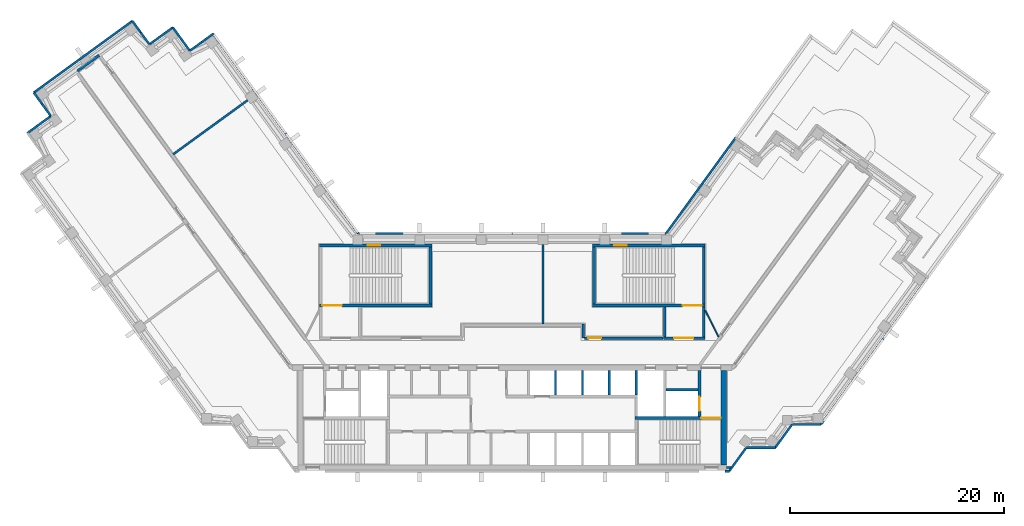
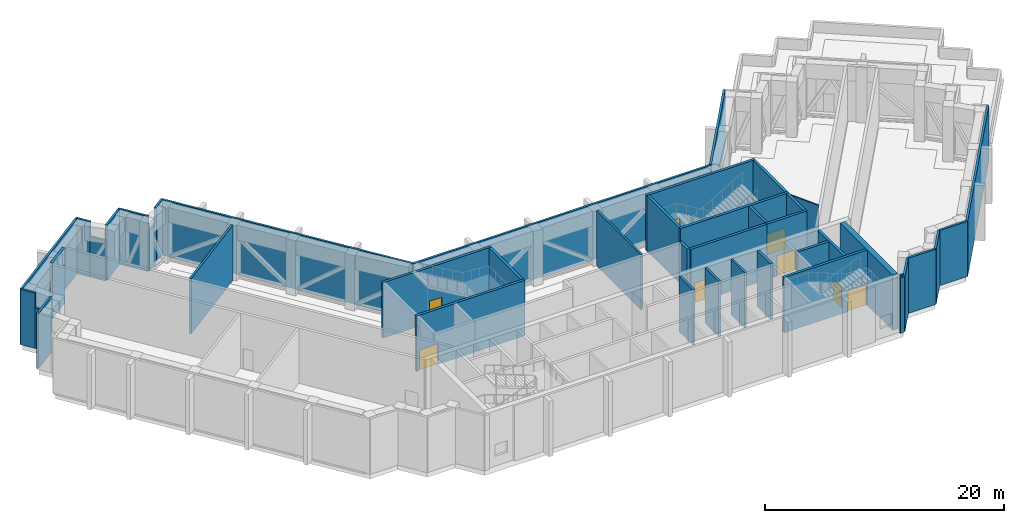
# One storey, part 11 of 16: 44 walls, 6 doors, 2 windows, 8 openings.
"""IFC4 building model written with IfcOpenShell, lengths in metres."""

import ifcopenshell
import ifcopenshell.guid

model = None  # the IFC model being written
_history = None  # IfcOwnerHistory: only IFC2X3 demands one
_inside = {}  # id of a spatial element -> (the spatial element, [elements in it])
_under = {}  # id of a project, library or spatial element -> (it, [spatial elements below it])
_declared = {}  # id of a project -> (the project, [libraries it declares])
_typed = {}  # id of a type object -> (the type object, [elements of that type])
_made_of = {}  # id of a material, layer set ... -> (it, [elements and type objects made of it])


def new_model(schema):
    """Start an empty IFC model of exactly this schema.

    Asked for "IFC4X3", IfcOpenShell would pick the latest addendum, in which some entities
    have other attributes; the version numbers below select the first issue.
    IFC2X3 requires an IfcOwnerHistory on every rooted entity: one is made here for all.
    """
    global model, _history
    if schema == "IFC4X3":
        model = ifcopenshell.file(schema_version=(4, 3, 0, 0))
    else:
        model = ifcopenshell.file(schema=schema)
    _inside.clear()
    _under.clear()
    _declared.clear()
    _typed.clear()
    _made_of.clear()
    _history = None
    if model.schema == "IFC2X3":
        org = make("IfcOrganization", Name="unknown")
        user = make(
            "IfcPersonAndOrganization",
            ThePerson=make("IfcPerson", FamilyName="unknown"),
            TheOrganization=org,
        )
        app = make(
            "IfcApplication",
            ApplicationDeveloper=org,
            Version="unknown",
            ApplicationFullName="unknown",
            ApplicationIdentifier="unknown",
        )
        _history = make(
            "IfcOwnerHistory",
            OwningUser=user,
            OwningApplication=app,
            ChangeAction="ADDED",
            CreationDate=0,
        )
    return model


def make(cls, **values):
    """One entity of the class cls with the attributes given. An attribute that is None is left unset."""
    return model.create_entity(
        cls, **{name: value for name, value in values.items() if value is not None}
    )


def rooted(cls, **values):
    """An entity with a GlobalId (a new one), such as an element, a storey or a relation."""
    return make(cls, GlobalId=ifcopenshell.guid.new(), OwnerHistory=_history, **values)


def si_unit(unit_type, name, prefix=None):
    """IfcSIUnit, for example si_unit("LENGTHUNIT", "METRE", prefix="MILLI")."""
    return make("IfcSIUnit", UnitType=unit_type, Prefix=prefix, Name=name)


def assignment(units):
    """IfcUnitAssignment: the units of a project."""
    return None if units is None else make("IfcUnitAssignment", Units=units)


def point(xyz):
    """IfcCartesianPoint."""
    return None if xyz is None else make("IfcCartesianPoint", Coordinates=xyz)


def direction(xyz):
    """IfcDirection."""
    return None if xyz is None else make("IfcDirection", DirectionRatios=xyz)


def frame(location, z_axis=None, x_axis=None):
    """IfcAxis2Placement3D, a coordinate frame: its origin and axes. An axis left out is left unset."""
    return make(
        "IfcAxis2Placement3D",
        Location=point(location),
        Axis=direction(z_axis),
        RefDirection=direction(x_axis),
    )


def frame_2d(location, x_axis=None):
    """IfcAxis2Placement2D, a coordinate frame in the plane: its origin and x axis."""
    return make(
        "IfcAxis2Placement2D", Location=point(location), RefDirection=direction(x_axis)
    )


def origin():
    """The frame at (0, 0, 0) with its axes left unset."""
    return frame((0.0, 0.0, 0.0))


def place(relative_to, where):
    """IfcLocalPlacement: puts the frame where relative to a parent placement (None: the world)."""
    return make(
        "IfcLocalPlacement", PlacementRelTo=relative_to, RelativePlacement=where
    )


def context(
    kind, dimensions, precision=None, world=None, true_north=None, identifier=None
):
    """IfcGeometricRepresentationContext, for example the 3D "Model" context."""
    return make(
        "IfcGeometricRepresentationContext",
        ContextIdentifier=identifier,
        ContextType=kind,
        CoordinateSpaceDimension=dimensions,
        Precision=precision,
        WorldCoordinateSystem=world,
        TrueNorth=true_north,
    )


def subcontext(parent, identifier, kind, view, scale=None):
    """IfcGeometricRepresentationSubContext, for example "Body" below "Model"."""
    return make(
        "IfcGeometricRepresentationSubContext",
        ContextIdentifier=identifier,
        ContextType=kind,
        ParentContext=parent,
        TargetScale=scale,
        TargetView=view,
    )


def project(units=None, contexts=None):
    """IfcProject with its units and contexts."""
    return rooted(
        "IfcProject",
        Name="project",
        RepresentationContexts=contexts,
        UnitsInContext=assignment(units),
    )


def spatial(cls, under=None, at=None, **own):
    """A site, building, storey or space (cls), placed at a placement, below another one or the project."""
    s = rooted(cls, ObjectPlacement=at, **own)
    if under is not None:
        _under.setdefault(under.id(), (under, []))[1].append(s)
    return s


def profile(cls, at=None, kind="AREA", **sizes):
    """A parametric profile (cls). Its sizes go by their IFC names, for example OverallWidth=200.0."""
    return make(cls, ProfileType=kind, Position=at, **sizes)


def rectangle(**sizes):
    """IfcRectangleProfileDef."""
    return profile("IfcRectangleProfileDef", **sizes)


def extrude(swept, where, along, depth):
    """IfcExtrudedAreaSolid: the profile swept, set in the frame where, extruded along a direction by depth."""
    return make(
        "IfcExtrudedAreaSolid",
        SweptArea=swept,
        Position=where,
        ExtrudedDirection=direction(along),
        Depth=depth,
    )


def shape(context_of_items, identifier, shape_type, items):
    """IfcShapeRepresentation: the items that make up one representation, for example the "Body"."""
    return make(
        "IfcShapeRepresentation",
        ContextOfItems=context_of_items,
        RepresentationIdentifier=identifier,
        RepresentationType=shape_type,
        Items=items,
    )


def material(Name=None, Category=None):
    """IfcMaterial."""
    return make("IfcMaterial", Name=Name, Category=Category)


def layer(
    of_material, thickness, ventilated=None, Name=None, Category=None, Priority=None
):
    """IfcMaterialLayer: one layer of a wall or slab, of a material (None: an air gap)."""
    return make(
        "IfcMaterialLayer",
        Material=of_material,
        LayerThickness=thickness,
        IsVentilated=ventilated,
        Name=Name,
        Category=Category,
        Priority=Priority,
    )


def layer_set(layers, Name=None):
    """IfcMaterialLayerSet."""
    return make("IfcMaterialLayerSet", MaterialLayers=layers, LayerSetName=Name)


def made_of(thing, what):
    """Note that an element or type object is made of a material, layer set ...; save() writes the relation."""
    if what is not None:
        _made_of.setdefault(what.id(), (what, []))[1].append(thing)
    return thing


def type_object(cls, material=None, **own):
    """A type object (cls), such as IfcWallType, which elements share."""
    return made_of(rooted(cls, **own), material)


def element(
    cls,
    number,
    at=None,
    inside=None,
    cuts=None,
    type_object=None,
    material=None,
    context=None,
    identifier="Body",
    shape_type=None,
    held_by="IfcProductDefinitionShape",
    body=None,
    shapes=None,
    **own,
):
    """One element of the class cls, such as IfcWall. Its Tag is "e" and its number.

    at: its placement. inside: the storey or other place that contains it. cuts: it is an
    opening in that element (IfcRelVoidsElement). A single representation is given by context,
    identifier, shape_type and body (its items); several are given by shapes. held_by: the class
    of the entity that holds the representations. save() writes the other relations.
    """
    e = rooted(cls, Tag="e%d" % number, ObjectPlacement=at, **own)
    if body is not None:
        shapes = [shape(context, identifier, shape_type, body)]
    if shapes is not None:
        e.Representation = make(held_by, Representations=shapes)
    if inside is not None:
        _inside.setdefault(inside.id(), (inside, []))[1].append(e)
    if cuts is not None:
        rooted(
            "IfcRelVoidsElement", RelatingBuildingElement=cuts, RelatedOpeningElement=e
        )
    if type_object is not None:
        _typed.setdefault(type_object.id(), (type_object, []))[1].append(e)
    return made_of(e, material)


def fill(opening, filler):
    """IfcRelFillsElement: the door or window that sits in an opening."""
    return rooted(
        "IfcRelFillsElement",
        RelatingOpeningElement=opening,
        RelatedBuildingElement=filler,
    )


def aggregate(whole, parts):
    """IfcRelAggregates: a whole, such as a stair, and the parts it consists of."""
    return rooted("IfcRelAggregates", RelatingObject=whole, RelatedObjects=parts)


def save(model, path):
    """Write the relations noted so far, then the file.

    IfcRelAggregates (storeys below a building ...), IfcRelContainedInSpatialStructure (elements
    in a storey), IfcRelDefinesByType, IfcRelAssociatesMaterial and IfcRelDeclares: one each for
    every whole, place, type object, material and project.
    """
    for whole, parts in _under.values():
        aggregate(whole, parts)
    for where, things in _inside.values():
        rooted(
            "IfcRelContainedInSpatialStructure",
            RelatedElements=things,
            RelatingStructure=where,
        )
    for kind, things in _typed.values():
        rooted("IfcRelDefinesByType", RelatedObjects=things, RelatingType=kind)
    for what, things in _made_of.values():
        rooted("IfcRelAssociatesMaterial", RelatedObjects=things, RelatingMaterial=what)
    for by, libraries in _declared.values():
        rooted("IfcRelDeclares", RelatingContext=by, RelatedDefinitions=libraries)
    model.write(path)


model = new_model("IFC4")

# Units and contexts
model_context = context("Model", 3, precision=1e-05, world=origin(), true_north=direction((0.0, 1.0)))
body_context = subcontext(model_context, "Body", "Model", "MODEL_VIEW")
ifc_project = project(units=[si_unit("LENGTHUNIT", "METRE"), si_unit("AREAUNIT", "SQUARE_METRE"), si_unit("VOLUMEUNIT", "CUBIC_METRE"), si_unit("PLANEANGLEUNIT", "RADIAN"), si_unit("MASSUNIT", "GRAM", prefix="KILO")], contexts=[model_context])

# Site, building, storey
site_placement = place(None, origin())
site = spatial("IfcSite", under=ifc_project, at=site_placement, CompositionType="ELEMENT")
building_placement = place(site_placement, origin())
building = spatial("IfcBuilding", under=site, at=building_placement, Name="Quipu Civic Tower", CompositionType="ELEMENT")
storey_placement = place(building_placement, frame((0.0, 0.0, 188.0)))
storey = spatial("IfcBuildingStorey", under=building, at=storey_placement, Name="L44", CompositionType="ELEMENT", Elevation=188.0)

# Walls
ifc_material_1 = material(Name="Fired clay blockwork", Category="masonry")
ifc_layer_1 = layer(ifc_material_1, 0.199951171875)
ifc_layer_set_1 = layer_set([ifc_layer_1], Name="Fired clay blockwork")
wall_type_1 = type_object("IfcWallType", Name="Blockwork wall 200", PredefinedType="SOLIDWALL", material=ifc_layer_set_1)
wall_1_placement = place(storey_placement, frame((2.85888671875, 2.64990234375, 0.0), z_axis=(0.0, 0.0, 1.0), x_axis=(0.0, 1.0, 0.0)))
element("IfcWall", 1, at=wall_1_placement, inside=storey, type_object=wall_type_1, Name="Partition P01", PredefinedType="SOLIDWALL", context=body_context, shape_type="SweptSolid", body=[
    extrude(rectangle(XDim=7.39501953125, YDim=0.199951171875, at=frame_2d((3.697509765625, 0.0))), origin(), (0.0, 0.0, 1.0), 5.64990234375),
])
wall_2_placement = place(storey_placement, frame((-24.677490234375, 23.52880859375, 0.0), z_axis=(0.0, 0.0, 1.0), x_axis=(-0.809022184937, -0.58777810803, 0.0)))
element("IfcWall", 2, at=wall_2_placement, inside=storey, type_object=wall_type_1, Name="Partition P02", PredefinedType="SOLIDWALL", context=body_context, shape_type="SweptSolid", body=[
    extrude(rectangle(XDim=8.594970703125, YDim=0.199951171875, at=frame_2d((4.29736328125, 0.0))), origin(), (0.0, 0.0, 1.0), 5.64990234375),
])

# Wall, opening, door
ifc_material_2 = material(Name="Concrete C70/85", Category="concrete")
ifc_layer_2 = layer(ifc_material_2, 0.25)
ifc_layer_set_2 = layer_set([ifc_layer_2], Name="Concrete C70/85")
wall_type_2 = type_object("IfcWallType", Name="Core wall 250", PredefinedType="SHEAR", material=ifc_layer_set_2)
wall_3_placement = place(storey_placement, frame((19.5, -6.125, 0.0), z_axis=(0.0, 0.0, 1.0), x_axis=(-1.0, 0.0, 0.0)))
wall_3 = element("IfcWall", 3, at=wall_3_placement, inside=storey, type_object=wall_type_2, Name="Core wall", PredefinedType="SHEAR", context=body_context, shape_type="SweptSolid", body=[
    extrude(rectangle(XDim=8.050048828125, YDim=0.25, at=frame_2d((4.02490234375, 0.0))), origin(), (0.0, 0.0, 1.0), 5.64990234375),
])
opening_1_placement = place(wall_3_placement, frame((0.050048828125, 0.0, 0.0)))
opening_1 = element("IfcOpeningElement", 4, at=opening_1_placement, cuts=wall_3, Name="Opening CD-06", PredefinedType="OPENING", context=body_context, shape_type="SweptSolid", body=[
    extrude(rectangle(XDim=1.800048828125, YDim=2.10009765625, at=frame_2d((0.89990234375, 1.050048828125))), frame((0.0, 0.135009765625, 0.0), z_axis=(0.0, -1.0, 0.0), x_axis=(1.0, 0.0, 0.0)), (0.0, 0.0, 1.0), 0.27001953125),
])
ifc_material_3 = material(Name="Fire rated steel door", Category="steel")
door_type_1 = type_object("IfcDoorType", Name="Fire door FD90 double 1800 x 2100", OperationType="NOTDEFINED", PredefinedType="DOOR", material=ifc_material_3)
door_1_placement = place(opening_1_placement, origin())
door_1 = element("IfcDoor", 5, at=door_1_placement, inside=storey, type_object=door_type_1, Name="Door", OperationType="DOUBLE_DOOR_SINGLE_SWING", OverallHeight=2.10009765625, OverallWidth=1.800048828125, PredefinedType="DOOR", context=body_context, shape_type="SweptSolid", body=[
    extrude(rectangle(XDim=1.800048828125, YDim=2.10009765625, at=frame_2d((0.89990234375, 1.050048828125))), frame((0.0, 0.02490234375, 0.0), z_axis=(0.0, -1.0, 0.0), x_axis=(1.0, 0.0, 0.0)), (0.0, 0.0, 1.0), 0.050048828125),
])
fill(opening_1, door_1)

wall_4_placement = place(storey_placement, frame((17.47509765625, -6.0, 0.0), z_axis=(0.0, 0.0, 1.0), x_axis=(0.0, 1.0, 0.0)))
wall_4 = element("IfcWall", 6, at=wall_4_placement, inside=storey, type_object=wall_type_2, Name="Core wall", PredefinedType="SHEAR", context=body_context, shape_type="SweptSolid", body=[
    extrude(rectangle(XDim=4.300048828125, YDim=0.25, at=frame_2d((2.14990234375, 0.0))), origin(), (0.0, 0.0, 1.0), 5.64990234375),
])
opening_2_placement = place(wall_4_placement, frame((0.550048828125, 0.0, 0.0)))
opening_2 = element("IfcOpeningElement", 7, at=opening_2_placement, cuts=wall_4, Name="Opening LD-FF2", PredefinedType="OPENING", context=body_context, shape_type="SweptSolid", body=[
    extrude(rectangle(XDim=1.300048828125, YDim=2.10009765625, at=frame_2d((0.64990234375, 1.050048828125))), frame((0.0, 0.135009765625, 0.0), z_axis=(0.0, -1.0, 0.0), x_axis=(1.0, 0.0, 0.0)), (0.0, 0.0, 1.0), 0.27001953125),
])
ifc_material_4 = material(Name="Stainless steel", Category="steel")
door_type_2 = type_object("IfcDoorType", Name="Lift landing door 1300 x 2100", OperationType="DOUBLE_DOOR_SLIDING", PredefinedType="DOOR", material=ifc_material_4)
door_2_placement = place(opening_2_placement, origin())
door_2 = element("IfcDoor", 8, at=door_2_placement, inside=storey, type_object=door_type_2, Name="Landing door FF2", OperationType="DOUBLE_DOOR_SLIDING", OverallHeight=2.10009765625, OverallWidth=1.300048828125, PredefinedType="DOOR", context=body_context, shape_type="SweptSolid", body=[
    extrude(rectangle(XDim=1.300048828125, YDim=2.10009765625, at=frame_2d((0.64990234375, 1.050048828125))), frame((0.0, 0.02490234375, 0.0), z_axis=(0.0, -1.0, 0.0), x_axis=(1.0, 0.0, 0.0)), (0.0, 0.0, 1.0), 0.050048828125),
])
fill(opening_2, door_2)

# Walls
wall_5_placement = place(storey_placement, frame((11.574951171875, -4.0, 0.0), z_axis=(0.0, 0.0, 1.0), x_axis=(0.0, 1.0, 0.0)))
element("IfcWall", 9, at=wall_5_placement, inside=storey, type_object=wall_type_2, Name="Core wall", PredefinedType="SHEAR", context=body_context, shape_type="SweptSolid", body=[
    extrude(rectangle(XDim=2.300048828125, YDim=0.25, at=frame_2d((1.14990234375, 0.0))), origin(), (0.0, 0.0, 1.0), 5.64990234375),
])
wall_6_placement = place(storey_placement, frame((14.35009765625, -3.47509765625, 0.0), z_axis=(0.0, 0.0, 1.0), x_axis=(1.0, 0.0, 0.0)))
element("IfcWall", 10, at=wall_6_placement, inside=storey, type_object=wall_type_2, Name="Core wall", PredefinedType="SHEAR", context=body_context, shape_type="SweptSolid", body=[
    extrude(rectangle(XDim=3.0, YDim=0.25, at=frame_2d((1.5, 0.0))), origin(), (0.0, 0.0, 1.0), 5.64990234375),
])

# Wall, opening, door
wall_7_placement = place(storey_placement, frame((-18.0, 4.375, 0.0), z_axis=(0.0, 0.0, 1.0), x_axis=(1.0, 0.0, 0.0)))
wall_7 = element("IfcWall", 11, at=wall_7_placement, inside=storey, type_object=wall_type_2, Name="Core wall", PredefinedType="SHEAR", context=body_context, shape_type="SweptSolid", body=[
    extrude(rectangle(XDim=10.5, YDim=0.25, at=frame_2d((5.25, 0.0))), origin(), (0.0, 0.0, 1.0), 5.64990234375),
])
opening_3_placement = place(wall_7_placement, frame((0.300048828125, 0.0, 0.0)))
opening_3 = element("IfcOpeningElement", 12, at=opening_3_placement, cuts=wall_7, Name="Opening CD-21", PredefinedType="OPENING", context=body_context, shape_type="SweptSolid", body=[
    extrude(rectangle(XDim=1.800048828125, YDim=2.10009765625, at=frame_2d((0.89990234375, 1.050048828125))), frame((0.0, 0.135009765625, 0.0), z_axis=(0.0, -1.0, 0.0), x_axis=(1.0, 0.0, 0.0)), (0.0, 0.0, 1.0), 0.27001953125),
])
door_3_placement = place(opening_3_placement, origin())
door_3 = element("IfcDoor", 13, at=door_3_placement, inside=storey, type_object=door_type_1, Name="Door", OperationType="DOUBLE_DOOR_SINGLE_SWING", OverallHeight=2.10009765625, OverallWidth=1.800048828125, PredefinedType="DOOR", context=body_context, shape_type="SweptSolid", body=[
    extrude(rectangle(XDim=1.800048828125, YDim=2.10009765625, at=frame_2d((0.89990234375, 1.050048828125))), frame((0.0, 0.02490234375, 0.0), z_axis=(0.0, -1.0, 0.0), x_axis=(1.0, 0.0, 0.0)), (0.0, 0.0, 1.0), 0.050048828125),
])
fill(opening_3, door_3)

# Wall
wall_8_placement = place(storey_placement, frame((-7.625, 4.5, 0.0), z_axis=(0.0, 0.0, 1.0), x_axis=(0.0, 1.0, 0.0)))
element("IfcWall", 14, at=wall_8_placement, inside=storey, type_object=wall_type_2, Name="Core wall", PredefinedType="SHEAR", context=body_context, shape_type="SweptSolid", body=[
    extrude(rectangle(XDim=5.35009765625, YDim=0.25, at=frame_2d((2.675048828125, 0.0))), origin(), (0.0, 0.0, 1.0), 5.64990234375),
])

# Wall, opening, window
wall_9_placement = place(storey_placement, frame((-18.0, 9.97509765625, 0.0), z_axis=(0.0, 0.0, 1.0), x_axis=(1.0, 0.0, 0.0)))
wall_9 = element("IfcWall", 15, at=wall_9_placement, inside=storey, type_object=wall_type_2, Name="Core wall", PredefinedType="SHEAR", context=body_context, shape_type="SweptSolid", body=[
    extrude(rectangle(XDim=10.5, YDim=0.25, at=frame_2d((5.25, 0.0))), origin(), (0.0, 0.0, 1.0), 5.64990234375),
])
opening_4_placement = place(wall_9_placement, frame((4.5, 0.0, 1.0)))
opening_4 = element("IfcOpeningElement", 16, at=opening_4_placement, cuts=wall_9, Name="Opening SV-3", PredefinedType="OPENING", context=body_context, shape_type="SweptSolid", body=[
    extrude(rectangle(XDim=1.199951171875, YDim=1.199951171875, at=frame_2d((0.60009765625, 0.60009765625))), frame((0.0, 0.135009765625, 0.0), z_axis=(0.0, -1.0, 0.0), x_axis=(1.0, 0.0, 0.0)), (0.0, 0.0, 1.0), 0.27001953125),
])
ifc_material_5 = material(Name="Aluminium louvre", Category="aluminium")
window_type = type_object("IfcWindowType", Name="Stair ventilation louvre 1200 x 1200", PartitioningType="SINGLE_PANEL", PredefinedType="WINDOW", material=ifc_material_5)
window_1_placement = place(opening_4_placement, origin())
window_1 = element("IfcWindow", 17, at=window_1_placement, inside=storey, type_object=window_type, Name="Stair ventilation opening", OverallHeight=1.199951171875, OverallWidth=1.199951171875, PartitioningType="SINGLE_PANEL", PredefinedType="WINDOW", context=body_context, shape_type="SweptSolid", body=[
    extrude(rectangle(XDim=1.199951171875, YDim=1.199951171875, at=frame_2d((0.60009765625, 0.60009765625))), frame((0.0, 0.030029296875, 0.0), z_axis=(0.0, -1.0, 0.0), x_axis=(1.0, 0.0, 0.0)), (0.0, 0.0, 1.0), 0.06005859375),
])
fill(opening_4, window_1)

# Wall, opening, door
wall_10_placement = place(storey_placement, frame((14.10009765625, 1.324951171875, 0.0), z_axis=(0.0, 0.0, 1.0), x_axis=(1.0, 0.0, 0.0)))
wall_10 = element("IfcWall", 18, at=wall_10_placement, inside=storey, type_object=wall_type_2, Name="Core wall", PredefinedType="SHEAR", context=body_context, shape_type="SweptSolid", body=[
    extrude(rectangle(XDim=3.89990234375, YDim=0.25, at=frame_2d((1.949951171875, 0.0))), origin(), (0.0, 0.0, 1.0), 5.64990234375),
])
opening_5_placement = place(wall_10_placement, frame((1.0, 0.0, 0.0)))
opening_5 = element("IfcOpeningElement", 19, at=opening_5_placement, cuts=wall_10, Name="Opening CD-22", PredefinedType="OPENING", context=body_context, shape_type="SweptSolid", body=[
    extrude(rectangle(XDim=1.800048828125, YDim=2.10009765625, at=frame_2d((0.89990234375, 1.050048828125))), frame((0.0, 0.135009765625, 0.0), z_axis=(0.0, -1.0, 0.0), x_axis=(1.0, 0.0, 0.0)), (0.0, 0.0, 1.0), 0.27001953125),
])
door_4_placement = place(opening_5_placement, origin())
door_4 = element("IfcDoor", 20, at=door_4_placement, inside=storey, type_object=door_type_1, Name="Lobby door", OperationType="DOUBLE_DOOR_SINGLE_SWING", OverallHeight=2.10009765625, OverallWidth=1.800048828125, PredefinedType="DOOR", context=body_context, shape_type="SweptSolid", body=[
    extrude(rectangle(XDim=1.800048828125, YDim=2.10009765625, at=frame_2d((0.89990234375, 1.050048828125))), frame((0.0, 0.02490234375, 0.0), z_axis=(0.0, -1.0, 0.0), x_axis=(1.0, 0.0, 0.0)), (0.0, 0.0, 1.0), 0.050048828125),
])
fill(opening_5, door_4)

# Walls
for number, where, z_axis, x_axis, name in (
    (21, (14.22509765625, 1.449951171875, 0.0), (0.0, 0.0, 1.0), (0.0, 1.0, 0.0), "Core wall"),
    (22, (17.875, 1.449951171875, 0.0), (0.0, 0.0, 1.0), (0.0, 1.0, 0.0), "Core wall"),
):
    element("IfcWall", number, at=place(storey_placement, frame(where, z_axis=z_axis, x_axis=x_axis)), inside=storey, type_object=wall_type_2, Name=name, PredefinedType="SHEAR", context=body_context, shape_type="SweptSolid", body=[
        extrude(rectangle(XDim=2.800048828125, YDim=0.25, at=frame_2d((1.39990234375, 0.0))), origin(), (0.0, 0.0, 1.0), 5.64990234375),
    ])

# Wall, opening, door
wall_11_placement = place(storey_placement, frame((7.5, 4.375, 0.0), z_axis=(0.0, 0.0, 1.0), x_axis=(1.0, 0.0, 0.0)))
wall_11 = element("IfcWall", 23, at=wall_11_placement, inside=storey, type_object=wall_type_2, Name="Core wall", PredefinedType="SHEAR", context=body_context, shape_type="SweptSolid", body=[
    extrude(rectangle(XDim=10.5, YDim=0.25, at=frame_2d((5.25, 0.0))), origin(), (0.0, 0.0, 1.0), 5.64990234375),
])
opening_6_placement = place(wall_11_placement, frame((8.39990234375, 0.0, 0.0)))
opening_6 = element("IfcOpeningElement", 24, at=opening_6_placement, cuts=wall_11, Name="Opening CD-23", PredefinedType="OPENING", context=body_context, shape_type="SweptSolid", body=[
    extrude(rectangle(XDim=1.800048828125, YDim=2.10009765625, at=frame_2d((0.89990234375, 1.050048828125))), frame((0.0, 0.135009765625, 0.0), z_axis=(0.0, -1.0, 0.0), x_axis=(1.0, 0.0, 0.0)), (0.0, 0.0, 1.0), 0.27001953125),
])
door_5_placement = place(opening_6_placement, origin())
door_5 = element("IfcDoor", 25, at=door_5_placement, inside=storey, type_object=door_type_1, Name="Door", OperationType="DOUBLE_DOOR_SINGLE_SWING", OverallHeight=2.10009765625, OverallWidth=1.800048828125, PredefinedType="DOOR", context=body_context, shape_type="SweptSolid", body=[
    extrude(rectangle(XDim=1.800048828125, YDim=2.10009765625, at=frame_2d((0.89990234375, 1.050048828125))), frame((0.0, 0.02490234375, 0.0), z_axis=(0.0, -1.0, 0.0), x_axis=(1.0, 0.0, 0.0)), (0.0, 0.0, 1.0), 0.050048828125),
])
fill(opening_6, door_5)

# Walls
for number, where, z_axis, x_axis, name in (
    (26, (7.625, 4.5, 0.0), (0.0, 0.0, 1.0), (0.0, 1.0, 0.0), "Core wall"),
    (27, (17.875, 4.5, 0.0), (0.0, 0.0, 1.0), (0.0, 1.0, 0.0), "Core wall"),
):
    element("IfcWall", number, at=place(storey_placement, frame(where, z_axis=z_axis, x_axis=x_axis)), inside=storey, type_object=wall_type_2, Name=name, PredefinedType="SHEAR", context=body_context, shape_type="SweptSolid", body=[
        extrude(rectangle(XDim=5.35009765625, YDim=0.25, at=frame_2d((2.675048828125, 0.0))), origin(), (0.0, 0.0, 1.0), 5.64990234375),
    ])

# Wall, opening, window
wall_12_placement = place(storey_placement, frame((7.5, 9.97509765625, 0.0), z_axis=(0.0, 0.0, 1.0), x_axis=(1.0, 0.0, 0.0)))
wall_12 = element("IfcWall", 28, at=wall_12_placement, inside=storey, type_object=wall_type_2, Name="Core wall", PredefinedType="SHEAR", context=body_context, shape_type="SweptSolid", body=[
    extrude(rectangle(XDim=10.5, YDim=0.25, at=frame_2d((5.25, 0.0))), origin(), (0.0, 0.0, 1.0), 5.64990234375),
])
opening_7_placement = place(wall_12_placement, frame((2.0, 0.0, 1.0)))
opening_7 = element("IfcOpeningElement", 29, at=opening_7_placement, cuts=wall_12, Name="Opening SV-4", PredefinedType="OPENING", context=body_context, shape_type="SweptSolid", body=[
    extrude(rectangle(XDim=1.199951171875, YDim=1.199951171875, at=frame_2d((0.60009765625, 0.60009765625))), frame((0.0, 0.135009765625, 0.0), z_axis=(0.0, -1.0, 0.0), x_axis=(1.0, 0.0, 0.0)), (0.0, 0.0, 1.0), 0.27001953125),
])
window_2_placement = place(opening_7_placement, origin())
window_2 = element("IfcWindow", 30, at=window_2_placement, inside=storey, type_object=window_type, Name="Stair ventilation opening", OverallHeight=1.199951171875, OverallWidth=1.199951171875, PartitioningType="SINGLE_PANEL", PredefinedType="WINDOW", context=body_context, shape_type="SweptSolid", body=[
    extrude(rectangle(XDim=1.199951171875, YDim=1.199951171875, at=frame_2d((0.60009765625, 0.60009765625))), frame((0.0, 0.030029296875, 0.0), z_axis=(0.0, -1.0, 0.0), x_axis=(1.0, 0.0, 0.0)), (0.0, 0.0, 1.0), 0.06005859375),
])
fill(opening_7, window_2)

# Walls
ifc_material_6 = material(Name="Concrete C70/85", Category="concrete")
ifc_layer_3 = layer(ifc_material_6, 0.5)
ifc_layer_set_3 = layer_set([ifc_layer_3], Name="Concrete C70/85")
wall_type_3 = type_object("IfcWallType", Name="Core wall 500", PredefinedType="SHEAR", material=ifc_layer_set_3)
wall_13_placement = place(storey_placement, frame((19.75, -10.5, 0.0), z_axis=(0.0, 0.0, 1.0), x_axis=(0.0, 1.0, 0.0)))
element("IfcWall", 31, at=wall_13_placement, inside=storey, type_object=wall_type_3, Name="Core wall", PredefinedType="SHEAR", context=body_context, shape_type="SweptSolid", body=[
    extrude(rectangle(XDim=8.800048828125, YDim=0.5, at=frame_2d((4.39990234375, 0.0))), origin(), (0.0, 0.0, 1.0), 5.64990234375),
])
ifc_material_7 = material(Name="Concrete C50/60", Category="concrete")
ifc_layer_4 = layer(ifc_material_7, 0.25)
ifc_layer_set_4 = layer_set([ifc_layer_4], Name="Concrete C50/60")
wall_type_4 = type_object("IfcWallType", Name="Corridor wall 250 concrete", PredefinedType="SOLIDWALL", material=ifc_layer_set_4)
wall_14_placement = place(storey_placement, frame((6.625, 2.64990234375, 0.0), z_axis=(0.0, 0.0, 1.0), x_axis=(0.0, -1.0, 0.0)))
element("IfcWall", 32, at=wall_14_placement, inside=storey, type_object=wall_type_4, Name="Corridor wall C01", PredefinedType="SOLIDWALL", context=body_context, shape_type="SweptSolid", body=[
    extrude(rectangle(XDim=1.291259765625, YDim=0.25, at=frame_2d((0.6455078125, 0.0))), origin(), (0.0, 0.0, 1.0), 5.64990234375),
])

# Wall, opening, door
wall_15_placement = place(storey_placement, frame((6.753662109375, 1.324951171875, 0.0), z_axis=(0.0, 0.0, 1.0), x_axis=(1.0, 0.0, 0.0)))
wall_15 = element("IfcWall", 33, at=wall_15_placement, inside=storey, type_object=wall_type_4, Name="Corridor wall C02", PredefinedType="SOLIDWALL", context=body_context, shape_type="SweptSolid", body=[
    extrude(rectangle(XDim=7.33642578125, YDim=0.25, at=frame_2d((3.668212890625, 0.0))), origin(), (0.0, 0.0, 1.0), 5.64990234375),
])
opening_8_placement = place(wall_15_placement, frame((0.34619140625, 0.0, 0.0)))
opening_8 = element("IfcOpeningElement", 34, at=opening_8_placement, cuts=wall_15, Name="Opening D004", PredefinedType="OPENING", context=body_context, shape_type="SweptSolid", body=[
    extrude(rectangle(XDim=1.199951171875, YDim=2.10009765625, at=frame_2d((0.60009765625, 1.050048828125))), frame((0.0, 0.135009765625, 0.0), z_axis=(0.0, -1.0, 0.0), x_axis=(1.0, 0.0, 0.0)), (0.0, 0.0, 1.0), 0.27001953125),
])
ifc_material_8 = material(Name="Fire rated timber door set with metal frame", Category="wood")
door_type_3 = type_object("IfcDoorType", Name="Single door 1200 x 2100 FD60", OperationType="NOTDEFINED", PredefinedType="DOOR", material=ifc_material_8)
door_6_placement = place(opening_8_placement, origin())
door_6 = element("IfcDoor", 35, at=door_6_placement, inside=storey, type_object=door_type_3, Name="Door D004", OperationType="SINGLE_SWING_LEFT", OverallHeight=2.10009765625, OverallWidth=1.199951171875, PredefinedType="DOOR", context=body_context, shape_type="SweptSolid", body=[
    extrude(rectangle(XDim=1.199951171875, YDim=2.10009765625, at=frame_2d((0.60009765625, 1.050048828125))), frame((0.0, 0.02490234375, 0.0), z_axis=(0.0, -1.0, 0.0), x_axis=(1.0, 0.0, 0.0)), (0.0, 0.0, 1.0), 0.050048828125),
])
fill(opening_8, door_6)

# Walls
wall_16_placement = place(storey_placement, frame((-40.555908203125, 26.25732421875, 0.0), z_axis=(0.0, 0.0, 1.0), x_axis=(0.809045768422, 0.587745646176, 0.0)))
element("IfcWall", 36, at=wall_16_placement, inside=storey, type_object=wall_type_4, Name="Corridor wall C07", PredefinedType="SOLIDWALL", context=body_context, shape_type="SweptSolid", body=[
    extrude(rectangle(XDim=2.48779296875, YDim=0.25, at=frame_2d((1.243896484375, 0.0))), origin(), (0.0, 0.0, 1.0), 5.64990234375),
])
ifc_material_9 = material(Name="Gypsum plasterboard on light gauge framing")
ifc_layer_5 = layer(ifc_material_9, 0.1201171875)
ifc_layer_set_5 = layer_set([ifc_layer_5], Name="Gypsum plasterboard on light gauge framing")
wall_type_5 = type_object("IfcWallType", Name="Partition 120 plasterboard", PredefinedType="PARTITIONING", material=ifc_layer_set_5)
wall_17_placement = place(storey_placement, frame((18.0, 3.925048828125, 0.0), z_axis=(0.0, 0.0, 1.0), x_axis=(0.453950796792, -0.891026752736, 0.0)))
element("IfcWall", 37, at=wall_17_placement, inside=storey, type_object=wall_type_5, Name="Partition P06", PredefinedType="PARTITIONING", context=body_context, shape_type="SweptSolid", body=[
    extrude(rectangle(XDim=2.77783203125, YDim=0.1201171875, at=frame_2d((1.388916015625, 0.0))), origin(), (0.0, 0.0, 1.0), 5.64990234375),
])
ifc_material_10 = material(Name="Precast concrete C40/50", Category="concrete")
wall_type_6 = type_object("IfcWallType", Name="Precast cladding wall", PredefinedType="SOLIDWALL", material=ifc_material_10)
wall_18_placement = place(storey_placement, frame((-14.35400390625, 11.093017578125, 0.0), z_axis=(0.0, 0.0, 1.0), x_axis=(-0.587790518608, 0.809013168147, 0.0)))
element("IfcWall", 38, at=wall_18_placement, inside=storey, type_object=wall_type_6, Name="Precast cladding wall L44 1", PredefinedType="SOLIDWALL", context=body_context, shape_type="SweptSolid", body=[
    extrude(rectangle(XDim=23.044189453125, YDim=0.199951171875, at=frame_2d((11.52197265625, 0.0))), origin(), (0.0, 0.0, 1.0), 5.64990234375),
])
wall_19_placement = place(storey_placement, frame((-27.88232421875, 29.7333984375, 0.0), z_axis=(0.0, 0.0, 1.0), x_axis=(-0.809064357795, -0.587720056613, 0.0)))
element("IfcWall", 39, at=wall_19_placement, inside=storey, type_object=wall_type_6, Name="Precast cladding wall L44 2", PredefinedType="SOLIDWALL", context=body_context, shape_type="SweptSolid", body=[
    extrude(rectangle(XDim=1.318115234375, YDim=0.199951171875, at=frame_2d((0.6591796875, 0.0))), origin(), (0.0, 0.0, 1.0), 5.64990234375),
])
wall_20_placement = place(storey_placement, frame((-28.94873046875, 28.958740234375, 0.0), z_axis=(0.0, 0.0, 1.0), x_axis=(-0.809003403559, -0.587803957991, 0.0)))
element("IfcWall", 40, at=wall_20_placement, inside=storey, type_object=wall_type_6, Name="Precast cladding wall L44 2 a", PredefinedType="SOLIDWALL", context=body_context, shape_type="SweptSolid", body=[
    extrude(rectangle(XDim=1.3818359375, YDim=0.199951171875, at=frame_2d((0.69091796875, 0.0))), origin(), (0.0, 0.0, 1.0), 4.14990234375),
])
for number, where, z_axis, x_axis, name in (
    (41, (-30.08349609375, 28.149169921875, 0.0), (0.0, 0.0, 1.0), (-0.587762999008, 0.809033161865, 0.0), "Precast cladding wall L44 3"),
    (42, (-31.653564453125, 30.330810546875, 0.0), (0.0, 0.0, 1.0), (-0.809033161865, -0.587762999008, 0.0), "Precast cladding wall L44 4"),
):
    element("IfcWall", number, at=place(storey_placement, frame(where, z_axis=z_axis, x_axis=x_axis)), inside=storey, type_object=wall_type_6, Name=name, PredefinedType="SOLIDWALL", context=body_context, shape_type="SweptSolid", body=[
        extrude(rectangle(XDim=2.699951171875, YDim=0.199951171875, at=frame_2d((1.35009765625, 0.0))), origin(), (0.0, 0.0, 1.0), 5.64990234375),
    ])
wall_21_placement = place(storey_placement, frame((-33.854736328125, 28.746337890625, 0.0), z_axis=(0.0, 0.0, 1.0), x_axis=(-0.587847138415, 0.808972027858, 0.0)))
element("IfcWall", 43, at=wall_21_placement, inside=storey, type_object=wall_type_6, Name="Precast cladding wall L44 5", PredefinedType="SOLIDWALL", context=body_context, shape_type="SweptSolid", body=[
    extrude(rectangle(XDim=1.38671875, YDim=0.199951171875, at=frame_2d((0.693359375, 0.0))), origin(), (0.0, 0.0, 1.0), 4.14990234375),
])
wall_22_placement = place(storey_placement, frame((-34.669921875, 29.8681640625, 0.0), z_axis=(0.0, 0.0, 1.0), x_axis=(-0.587707438817, 0.809073523457, 0.0)))
element("IfcWall", 44, at=wall_22_placement, inside=storey, type_object=wall_type_6, Name="Precast cladding wall L44 5 a", PredefinedType="SOLIDWALL", context=body_context, shape_type="SweptSolid", body=[
    extrude(rectangle(XDim=1.3134765625, YDim=0.199951171875, at=frame_2d((0.65673828125, 0.0))), origin(), (0.0, 0.0, 1.0), 5.64990234375),
])
wall_23_placement = place(storey_placement, frame((-35.425048828125, 30.92822265625, 0.0), z_axis=(0.0, 0.0, 1.0), x_axis=(-0.809005491952, -0.587801083694, 0.0)))
element("IfcWall", 45, at=wall_23_placement, inside=storey, type_object=wall_type_6, Name="Precast cladding wall L44 6", PredefinedType="SOLIDWALL", context=body_context, shape_type="SweptSolid", body=[
    extrude(rectangle(XDim=11.39990234375, YDim=0.199951171875, at=frame_2d((5.699951171875, 0.0))), origin(), (0.0, 0.0, 1.0), 5.64990234375),
])
wall_24_placement = place(storey_placement, frame((-44.645263671875, 24.244140625, 0.0), z_axis=(0.0, 0.0, 1.0), x_axis=(0.587797718958, -0.809007936665, 0.0)))
element("IfcWall", 46, at=wall_24_placement, inside=storey, type_object=wall_type_6, Name="Precast cladding wall L44 7", PredefinedType="SOLIDWALL", context=body_context, shape_type="SweptSolid", body=[
    extrude(rectangle(XDim=1.320068359375, YDim=0.199951171875, at=frame_2d((0.66015625, 0.0))), origin(), (0.0, 0.0, 1.0), 5.64990234375),
])
wall_25_placement = place(storey_placement, frame((-43.869384765625, 23.17626953125, 0.0), z_axis=(0.0, 0.0, 1.0), x_axis=(0.587845576324, -0.808973162964, 0.0)))
element("IfcWall", 47, at=wall_25_placement, inside=storey, type_object=wall_type_6, Name="Precast cladding wall L44 7 a", PredefinedType="SOLIDWALL", context=body_context, shape_type="SweptSolid", body=[
    extrude(rectangle(XDim=1.380126953125, YDim=0.199951171875, at=frame_2d((0.68994140625, 0.0))), origin(), (0.0, 0.0, 1.0), 4.14990234375),
])
wall_26_placement = place(storey_placement, frame((-43.060791015625, 22.04296875, 0.0), z_axis=(0.0, 0.0, 1.0), x_axis=(-0.809033161865, -0.587762999008, 0.0)))
element("IfcWall", 48, at=wall_26_placement, inside=storey, type_object=wall_type_6, Name="Precast cladding wall L44 8", PredefinedType="SOLIDWALL", context=body_context, shape_type="SweptSolid", body=[
    extrude(rectangle(XDim=2.699951171875, YDim=0.199951171875, at=frame_2d((1.35009765625, 0.0))), origin(), (0.0, 0.0, 1.0), 5.64990234375),
])
wall_27_placement = place(storey_placement, frame((19.85009765625, -11.087890625, 0.0), z_axis=(0.0, 0.0, 1.0), x_axis=(1.0, 0.0, 0.0)))
element("IfcWall", 49, at=wall_27_placement, inside=storey, type_object=wall_type_6, Name="Precast cladding wall L44 18", PredefinedType="SOLIDWALL", context=body_context, shape_type="SweptSolid", body=[
    extrude(rectangle(XDim=0.40576171875, YDim=0.199951171875, at=frame_2d((0.202880859375, 0.0))), origin(), (0.0, 0.0, 1.0), 5.64990234375),
])
wall_28_placement = place(storey_placement, frame((20.253173828125, -11.083251953125, 0.0), z_axis=(0.0, 0.0, 1.0), x_axis=(0.587766567315, 0.809030569476, 0.0)))
element("IfcWall", 50, at=wall_28_placement, inside=storey, type_object=wall_type_6, Name="Precast cladding wall L44 19", PredefinedType="SOLIDWALL", context=body_context, shape_type="SweptSolid", body=[
    extrude(rectangle(XDim=2.687744140625, YDim=0.199951171875, at=frame_2d((1.34375, 0.0))), origin(), (0.0, 0.0, 1.0), 5.64990234375),
])
wall_29_placement = place(storey_placement, frame((21.8427734375, -8.90380859375, 0.0), z_axis=(0.0, 0.0, 1.0), x_axis=(1.0, 0.0, 0.0)))
element("IfcWall", 51, at=wall_29_placement, inside=storey, type_object=wall_type_6, Name="Precast cladding wall L44 20", PredefinedType="SOLIDWALL", context=body_context, shape_type="SweptSolid", body=[
    extrude(rectangle(XDim=2.699951171875, YDim=0.199951171875, at=frame_2d((1.35009765625, 0.0))), origin(), (0.0, 0.0, 1.0), 5.64990234375),
])
wall_30_placement = place(storey_placement, frame((24.533203125, -8.90869140625, 0.0), z_axis=(0.0, 0.0, 1.0), x_axis=(0.587720002413, 0.809064397168, 0.0)))
element("IfcWall", 52, at=wall_30_placement, inside=storey, type_object=wall_type_6, Name="Precast cladding wall L44 21", PredefinedType="SOLIDWALL", context=body_context, shape_type="SweptSolid", body=[
    extrude(rectangle(XDim=2.7001953125, YDim=0.199951171875, at=frame_2d((1.35009765625, 0.0))), origin(), (0.0, 0.0, 1.0), 5.64990234375),
])
wall_31_placement = place(storey_placement, frame((26.1298828125, -6.71923828125, 0.0), z_axis=(0.0, 0.0, 1.0), x_axis=(1.0, 0.0, 0.0)))
element("IfcWall", 53, at=wall_31_placement, inside=storey, type_object=wall_type_6, Name="Precast cladding wall L44 22", PredefinedType="SOLIDWALL", context=body_context, shape_type="SweptSolid", body=[
    extrude(rectangle(XDim=2.699951171875, YDim=0.199951171875, at=frame_2d((1.35009765625, 0.0))), origin(), (0.0, 0.0, 1.0), 5.64990234375),
])
wall_32_placement = place(storey_placement, frame((28.820068359375, -6.72412109375, 0.0), z_axis=(0.0, 0.0, 1.0), x_axis=(0.587789790223, 0.809013697356, 0.0)))
element("IfcWall", 54, at=wall_32_placement, inside=storey, type_object=wall_type_6, Name="Precast cladding wall L44 23", PredefinedType="SOLIDWALL", context=body_context, shape_type="SweptSolid", body=[
    extrude(rectangle(XDim=16.95556640625, YDim=0.199951171875, at=frame_2d((8.477783203125, 0.0))), origin(), (0.0, 0.0, 1.0), 5.64990234375),
])
wall_33_placement = place(storey_placement, frame((20.845703125, 20.02783203125, 0.0), z_axis=(0.0, 0.0, 1.0), x_axis=(-0.58779571445, -0.809009393069, 0.0)))
element("IfcWall", 55, at=wall_33_placement, inside=storey, type_object=wall_type_6, Name="Precast cladding wall L44 35", PredefinedType="SOLIDWALL", context=body_context, shape_type="SweptSolid", body=[
    extrude(rectangle(XDim=11.044189453125, YDim=0.199951171875, at=frame_2d((5.52197265625, 0.0))), origin(), (0.0, 0.0, 1.0), 5.64990234375),
])
wall_34_placement = place(storey_placement, frame((14.34423828125, 11.087890625, 0.0), z_axis=(0.0, 0.0, 1.0), x_axis=(-1.0, 0.0, 0.0)))
element("IfcWall", 56, at=wall_34_placement, inside=storey, type_object=wall_type_6, Name="Precast cladding wall L44 36", PredefinedType="SOLIDWALL", context=body_context, shape_type="SweptSolid", body=[
    extrude(rectangle(XDim=28.6884765625, YDim=0.199951171875, at=frame_2d((14.34423828125, 0.0))), origin(), (0.0, 0.0, 1.0), 5.64990234375),
])
wall_35_placement = place(storey_placement, frame((19.97998046875, -10.75, 0.0), z_axis=(0.0, 0.0, 1.0), x_axis=(1.0, 0.0, 0.0)))
element("IfcWall", 57, at=wall_35_placement, inside=storey, type_object=wall_type_6, Name="Precast cladding return L44 E", PredefinedType="SOLIDWALL", context=body_context, shape_type="SweptSolid", body=[
    extrude(rectangle(XDim=0.41650390625, YDim=0.199951171875, at=frame_2d((0.208251953125, 0.0))), origin(), (0.0, 0.0, 1.0), 5.64990234375),
])
ifc_material_11 = material(Name="Concrete C40/50", Category="concrete")
ifc_layer_6 = layer(ifc_material_11, 0.199951171875)
ifc_layer_set_6 = layer_set([ifc_layer_6], Name="Concrete C40/50")
wall_type_7 = type_object("IfcWallType", Name="Shaft wall 200", PredefinedType="SOLIDWALL", material=ifc_layer_set_6)
for number, where, z_axis, x_axis, name in (
    (58, (4.050048828125, -4.0, 0.0), (0.0, 0.0, 1.0), (0.0, 1.0, 0.0), "Shaft wall"),
    (59, (6.550048828125, -4.0, 0.0), (0.0, 0.0, 1.0), (0.0, 1.0, 0.0), "Shaft wall"),
    (60, (9.050048828125, -4.0, 0.0), (0.0, 0.0, 1.0), (0.0, 1.0, 0.0), "Shaft wall"),
):
    element("IfcWall", number, at=place(storey_placement, frame(where, z_axis=z_axis, x_axis=x_axis)), inside=storey, type_object=wall_type_7, Name=name, PredefinedType="SOLIDWALL", context=body_context, shape_type="SweptSolid", body=[
        extrude(rectangle(XDim=2.300048828125, YDim=0.199951171875, at=frame_2d((1.14990234375, 0.0))), origin(), (0.0, 0.0, 1.0), 5.64990234375),
    ])

save(model, "model.ifc")
